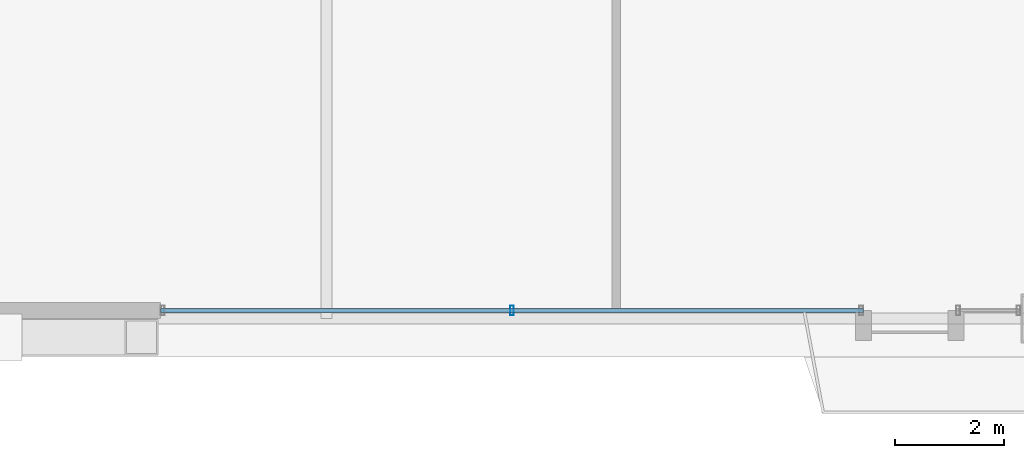
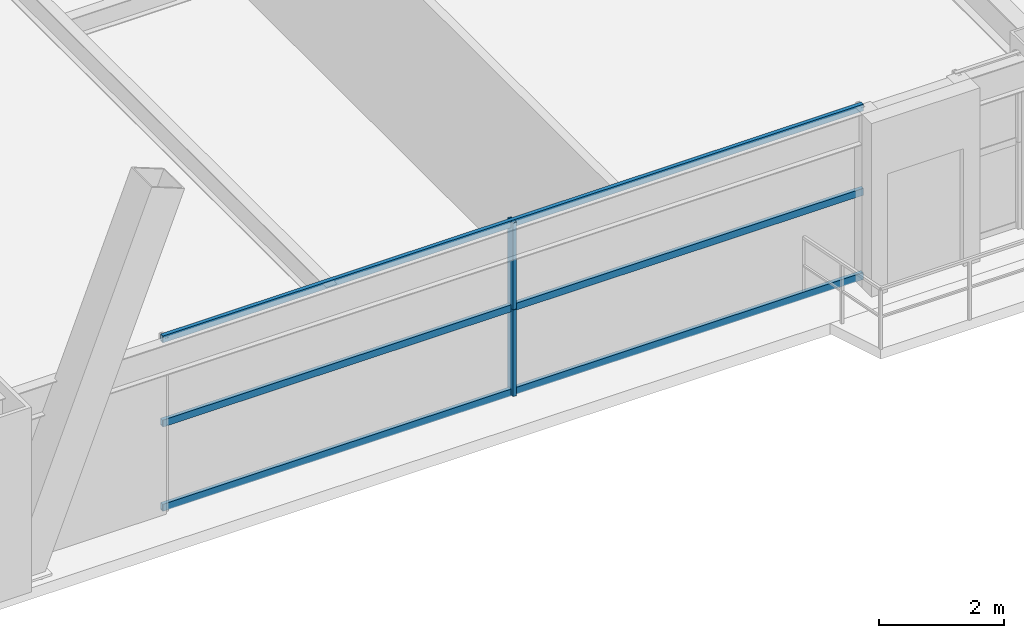
# One storey, part 5 of 43: 5 members, 1 element without a shape of its own.
"""IFC4 building model written with IfcOpenShell, lengths in metres."""

from ifc_helpers import new_model, si_unit, direction, frame, origin, origin_2d, place, context, subcontext, project, spatial, hollow_rectangle, extrude, source, transform, mapped, material, layer, layer_set, material_profile, profile_set, type_object, element, aggregate, save


model = new_model("IFC4")

# Units and contexts
model_context = context("Model", 3, precision=1e-05, world=origin(), true_north=direction((0.0, 1.0)))
body_context = subcontext(model_context, "Body", "Model", "MODEL_VIEW")
ifc_project = project(units=[si_unit("LENGTHUNIT", "METRE"), si_unit("AREAUNIT", "SQUARE_METRE"), si_unit("VOLUMEUNIT", "CUBIC_METRE"), si_unit("PLANEANGLEUNIT", "RADIAN"), si_unit("MASSUNIT", "GRAM", prefix="KILO"), si_unit("THERMODYNAMICTEMPERATUREUNIT", "KELVIN"), si_unit("POWERUNIT", "WATT")], contexts=[model_context])

# Site, building, storey
site_placement = place(None, origin())
site = spatial("IfcSite", under=ifc_project, at=site_placement, CompositionType="ELEMENT")
building_placement = place(site_placement, origin())
building = spatial("IfcBuilding", under=site, at=building_placement, Name="Yuzanri Waterfront Tower", CompositionType="ELEMENT")
storey_placement = place(building_placement, frame((0.0, 0.0, 108.199951171875)))
storey = spatial("IfcBuildingStorey", under=building, at=storey_placement, Name="L28", CompositionType="ELEMENT", Elevation=108.199951171875)

# Curtain wall, members
ifc_material_1 = material(Name="Anodized Architectural Bronze", Category="metal")
ifc_layer = layer(ifc_material_1, 0.159912109375)
ifc_layer_set = layer_set([ifc_layer], Name="Anodized Architectural Bronze")
curtain_wall_type = type_object("IfcCurtainWallType", Name="Anodized Bronze Hotel Upper-Tier Solar-Control Unitized Curtain Wall 7800", PredefinedType="NOTDEFINED", material=ifc_layer_set)
curtain_wall_placement = place(storey_placement, origin())
curtain_wall = element("IfcCurtainWall", 1, at=curtain_wall_placement, inside=storey, type_object=curtain_wall_type, Name="L28 Curtain Wall CW-L28-SL1", PredefinedType="NOTDEFINED")
ifc_material_2 = material(Name="Anodized Architectural Bronze", Category="metal")
ifc_material_profile_1 = material_profile(ifc_material_2, hollow_rectangle(XDim=0.070068359375, YDim=0.179931640625, WallThickness=0.00390625, at=origin_2d()), Name="CWM 70x180")
ifc_profile_set_1 = profile_set([ifc_material_profile_1], Name="Anodized Architectural Bronze")
member_type_1 = type_object("IfcMemberType", Name="Anodized Bronze Standard Curtain-Wall Mullion 70x180", PredefinedType="MULLION", material=ifc_profile_set_1)
shared_shape_1 = source(origin(), body_context, "Body", "SweptSolid", [
    extrude(hollow_rectangle(XDim=0.070068359375, YDim=0.179931640625, WallThickness=0.00390625, at=origin_2d()), origin(), (0.0, 0.0, 1.0), 1.68798828125),
])
member_1_placement = place(storey_placement, frame((27.205078125, 2.35009765625, 0.0), z_axis=(0.0, 0.0, 1.0), x_axis=(1.0, 0.0, 0.0)))
member_1 = element("IfcMember", 2, at=member_1_placement, type_object=member_type_1, Name="CW-L28-SL1 Lower Mullion 01", PredefinedType="MULLION", context=body_context, shape_type="MappedRepresentation", body=[
    mapped(shared_shape_1, transform((0.0, 0.0, 0.0), scale=1.0)),
])
member_2_placement = place(storey_placement, frame((27.205078125, 2.35009765625, 1.692138671875), z_axis=(0.0, 0.0, 1.0), x_axis=(1.0, 0.0, 0.0)))
member_2 = element("IfcMember", 3, at=member_2_placement, type_object=member_type_1, Name="CW-L28-SL1 Upper Mullion 01", PredefinedType="MULLION", context=body_context, shape_type="MappedRepresentation", body=[
    mapped(shared_shape_1, transform((0.0, 0.0, 0.0), scale=1.0)),
])
ifc_material_3 = material(Name="Anodized Architectural Bronze", Category="metal")
ifc_material_profile_2 = material_profile(ifc_material_3, hollow_rectangle(XDim=0.070068359375, YDim=0.135009765625, WallThickness=0.00341796875, at=origin_2d()), Name="CWT 70x135")
ifc_profile_set_2 = profile_set([ifc_material_profile_2], Name="Anodized Architectural Bronze")
member_type_2 = type_object("IfcMemberType", Name="Anodized Bronze Standard Curtain-Wall Transom 70x135", PredefinedType="USERDEFINED", material=ifc_profile_set_2)
shared_shape_2 = source(origin(), body_context, "Body", "SweptSolid", [
    extrude(hollow_rectangle(XDim=0.070068359375, YDim=0.135009765625, WallThickness=0.00341796875, at=origin_2d()), origin(), (0.0, 0.0, 1.0), 12.909912109375),
])
member_3_placement = place(storey_placement, frame((20.75, 2.35009765625, 0.050048828125), z_axis=(1.0, 0.0, 0.0), x_axis=(0.0, 1.0, 0.0)))
member_3 = element("IfcMember", 4, at=member_3_placement, type_object=member_type_2, Name="CW-L28-SL1 Transom 1", ObjectType="TRANSOM", PredefinedType="USERDEFINED", context=body_context, shape_type="MappedRepresentation", body=[
    mapped(shared_shape_2, transform((0.0, 0.0, 0.0), scale=1.0)),
])
member_4_placement = place(storey_placement, frame((20.75, 2.35009765625, 1.68994140625), z_axis=(1.0, 0.0, 0.0), x_axis=(0.0, 1.0, 0.0)))
member_4 = element("IfcMember", 5, at=member_4_placement, type_object=member_type_2, Name="CW-L28-SL1 Transom 2", ObjectType="TRANSOM", PredefinedType="USERDEFINED", context=body_context, shape_type="MappedRepresentation", body=[
    mapped(shared_shape_2, transform((0.0, 0.0, 0.0), scale=1.0)),
])
member_5_placement = place(storey_placement, frame((20.75, 2.35009765625, 3.330078125), z_axis=(1.0, 0.0, 0.0), x_axis=(0.0, 1.0, 0.0)))
member_5 = element("IfcMember", 6, at=member_5_placement, type_object=member_type_2, Name="CW-L28-SL1 Transom 3", ObjectType="TRANSOM", PredefinedType="USERDEFINED", context=body_context, shape_type="MappedRepresentation", body=[
    mapped(shared_shape_2, transform((0.0, 0.0, 0.0), scale=1.0)),
])
aggregate(curtain_wall, [member_1, member_2, member_3, member_4, member_5])

save(model, "model.ifc")
